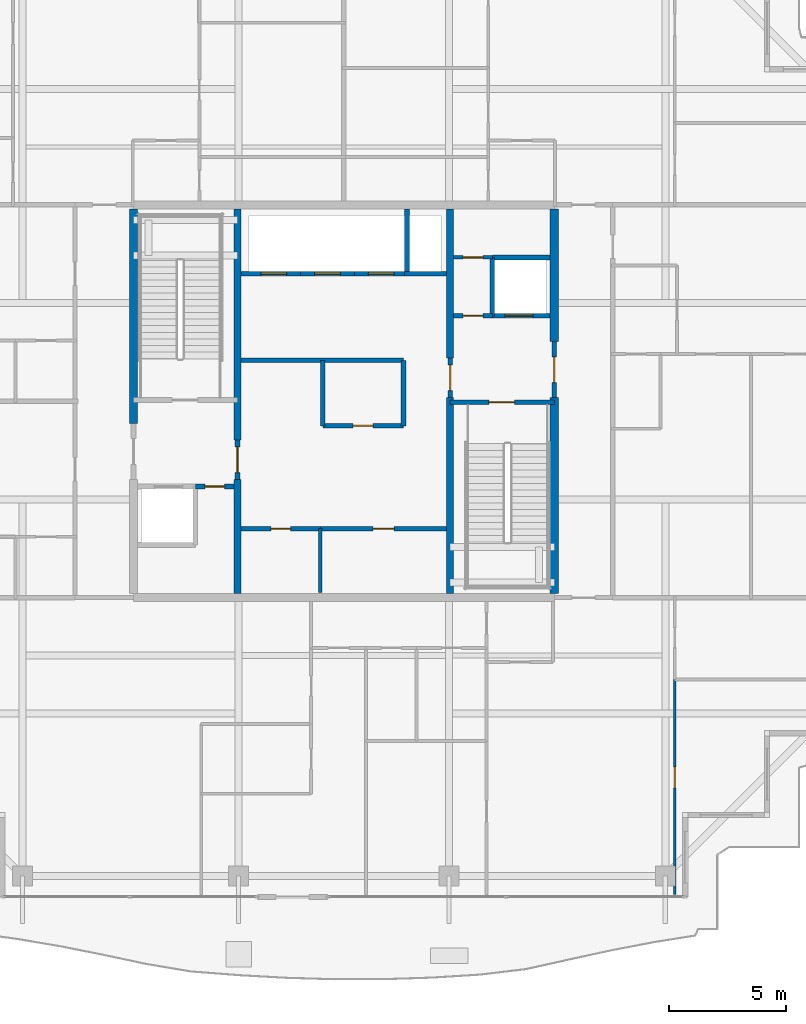
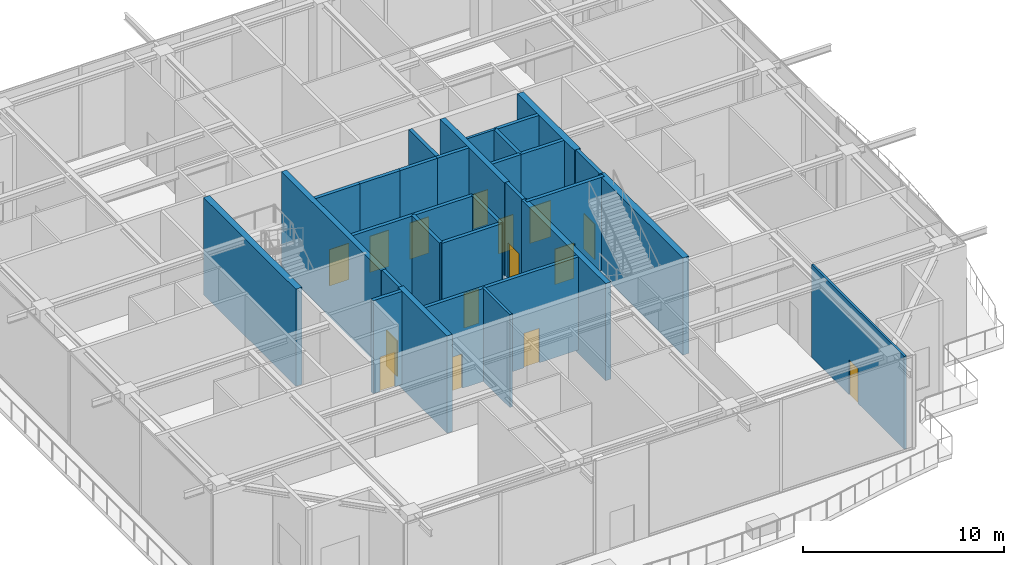
# One storey, part 28 of 38: 30 walls, 15 doors, 15 openings.
"""IFC4 building model written with IfcOpenShell, lengths in metres."""

from ifc_helpers import new_model, si_unit, direction, frame, frame_2d, origin, place, context, subcontext, project, spatial, rectangle, extrude, source, transform, mapped, material, layer, layer_set, type_object, element, fill, save


model = new_model("IFC4")

# Units and contexts
model_context = context("Model", 3, precision=1e-05, world=origin(), true_north=direction((0.0, 1.0)))
body_context = subcontext(model_context, "Body", "Model", "MODEL_VIEW")
ifc_project = project(units=[si_unit("LENGTHUNIT", "METRE"), si_unit("AREAUNIT", "SQUARE_METRE"), si_unit("VOLUMEUNIT", "CUBIC_METRE"), si_unit("PLANEANGLEUNIT", "RADIAN"), si_unit("MASSUNIT", "GRAM", prefix="KILO")], contexts=[model_context])

# Site, building, storey
site_placement = place(None, origin())
site = spatial("IfcSite", under=ifc_project, at=site_placement, CompositionType="ELEMENT")
building_placement = place(site_placement, origin())
building = spatial("IfcBuilding", under=site, at=building_placement, Name="Serunith Strait Residences", CompositionType="ELEMENT")
storey_placement = place(building_placement, frame((0.0, 0.0, 342.050048828125)))
storey = spatial("IfcBuildingStorey", under=building, at=storey_placement, Name="L85", CompositionType="ELEMENT", Elevation=342.050048828125)

# Wall, opening, door
ifc_material_1 = material(Name="Fire-rated masonry service closet wall", Category="masonry")
ifc_layer_1 = layer(ifc_material_1, 0.14990234375, Name="Fire-rated masonry service closet wall")
ifc_layer_set_1 = layer_set([ifc_layer_1], Name="Fire-rated masonry service closet wall")
wall_type_1 = type_object("IfcWallType", Name="IW-BOH-150", PredefinedType="PARTITIONING", material=ifc_layer_set_1)
wall_1_placement = place(storey_placement, frame((37.10009765625, 31.35009765625, 0.0), z_axis=(0.0, 0.0, 1.0), x_axis=(1.0, 0.0, 0.0)))
wall_1 = element("IfcWall", 1, at=wall_1_placement, inside=storey, type_object=wall_type_1, Name="L85 Partition Wall 011", PredefinedType="PARTITIONING", context=body_context, shape_type="SweptSolid", body=[
    extrude(rectangle(XDim=1.64794921875, YDim=0.14990234375, at=frame_2d((0.823974609375, 0.0))), origin(), (0.0, 0.0, 1.0), 5.639892578125),
])
opening_1_placement = place(wall_1_placement, frame((0.39892578125, 0.0, 0.0)))
opening_1 = element("IfcOpeningElement", 2, at=opening_1_placement, cuts=wall_1, Name="Opening FD-850", PredefinedType="OPENING", context=body_context, shape_type="SweptSolid", body=[
    extrude(rectangle(XDim=0.85009765625, YDim=2.10009765625, at=frame_2d((0.425048828125, 1.050048828125))), frame((0.0, 0.0849609375, 0.0), z_axis=(0.0, -1.0, 0.0), x_axis=(1.0, 0.0, 0.0)), (0.0, 0.0, 1.0), 0.169921875),
])
ifc_material_2 = material(Name="Powder-coated steel service closet door", Category="steel")
door_type_1 = type_object("IfcDoorType", Name="FD-BOH-850", OperationType="NOTDEFINED", PredefinedType="DOOR", material=ifc_material_2)
shared_shape_1 = source(origin(), body_context, "Body", "SweptSolid", [
    extrude(rectangle(XDim=0.85009765625, YDim=2.10009765625, at=frame_2d((0.425048828125, 1.050048828125))), frame((0.0, 0.02490234375, 0.0), z_axis=(0.0, -1.0, 0.0), x_axis=(1.0, 0.0, 0.0)), (0.0, 0.0, 1.0), 0.050048828125),
])
door_1_placement = place(opening_1_placement, origin())
door_1 = element("IfcDoor", 3, at=door_1_placement, inside=storey, type_object=door_type_1, Name="L85 Spare Parts Store Door", OperationType="SINGLE_SWING_LEFT", OverallHeight=2.10009765625, OverallWidth=0.85009765625, PredefinedType="DOOR", context=body_context, shape_type="MappedRepresentation", body=[
    mapped(shared_shape_1, transform((0.0, 0.0, 0.0), scale=1.0)),
])
fill(opening_1, door_1)

# Wall
wall_2_placement = place(storey_placement, frame((31.39990234375, 17.02001953125, 0.0), z_axis=(0.0, 0.0, 1.0), x_axis=(0.0, 1.0, 0.0)))
element("IfcWall", 4, at=wall_2_placement, inside=storey, type_object=wall_type_1, Name="L85 Partition Wall 014", PredefinedType="PARTITIONING", context=body_context, shape_type="SweptSolid", body=[
    extrude(rectangle(XDim=2.72998046875, YDim=0.14990234375, at=frame_2d((1.364990234375, 0.0))), origin(), (0.0, 0.0, 1.0), 5.639892578125),
])

# Wall, opening, door
ifc_material_3 = material(Name="Lightweight steel-stud gypsum partition", Category="steel")
ifc_layer_2 = layer(ifc_material_3, 0.1201171875, Name="Lightweight steel-stud gypsum partition")
ifc_layer_set_2 = layer_set([ifc_layer_2], Name="Lightweight steel-stud gypsum partition")
wall_type_2 = type_object("IfcWallType", Name="IW-PART-120", PredefinedType="PARTITIONING", material=ifc_layer_set_2)
wall_3_placement = place(storey_placement, frame((46.550048828125, 4.094970703125, 0.0), z_axis=(0.0, 0.0, 1.0), x_axis=(0.0, 1.0, 0.0)))
wall_3 = element("IfcWall", 5, at=wall_3_placement, inside=storey, type_object=wall_type_2, Name="L85 Partition Wall 048", PredefinedType="PARTITIONING", context=body_context, shape_type="SweptSolid", body=[
    extrude(rectangle(XDim=9.205078125, YDim=0.1201171875, at=frame_2d((4.6025390625, 0.0))), origin(), (0.0, 0.0, 1.0), 5.639892578125),
])
opening_2_placement = place(wall_3_placement, frame((4.568115234375, 0.0, 0.0)))
opening_2 = element("IfcOpeningElement", 6, at=opening_2_placement, cuts=wall_3, Name="Opening D-RM900", PredefinedType="OPENING", context=body_context, shape_type="SweptSolid", body=[
    extrude(rectangle(XDim=0.89990234375, YDim=2.10009765625, at=frame_2d((0.449951171875, 1.050048828125))), frame((0.0, 0.070068359375, 0.0), z_axis=(0.0, -1.0, 0.0), x_axis=(1.0, 0.0, 0.0)), (0.0, 0.0, 1.0), 0.14013671875),
])
ifc_material_4 = material(Name="Engineered timber flush bedroom door", Category="wood")
door_type_2 = type_object("IfcDoorType", Name="ID-ROOM-900", OperationType="NOTDEFINED", PredefinedType="DOOR", material=ifc_material_4)
shared_shape_2 = source(origin(), body_context, "Body", "SweptSolid", [
    extrude(rectangle(XDim=0.89990234375, YDim=2.10009765625, at=frame_2d((0.449951171875, 1.050048828125))), frame((0.0, 0.02490234375, 0.0), z_axis=(0.0, -1.0, 0.0), x_axis=(1.0, 0.0, 0.0)), (0.0, 0.0, 1.0), 0.050048828125),
])
door_2_placement = place(opening_2_placement, origin())
door_2 = element("IfcDoor", 7, at=door_2_placement, inside=storey, type_object=door_type_2, Name="L85 Bedroom 3 8501 Door", OperationType="SINGLE_SWING_LEFT", OverallHeight=2.10009765625, OverallWidth=0.89990234375, PredefinedType="DOOR", context=body_context, shape_type="MappedRepresentation", body=[
    mapped(shared_shape_2, transform((0.0, 0.0, 0.0), scale=1.0)),
])
fill(opening_2, door_2)

ifc_material_5 = material(Name="Autoclaved aerated concrete blockwork", Category="masonry")
ifc_layer_3 = layer(ifc_material_5, 0.199951171875, Name="Autoclaved aerated concrete blockwork")
ifc_layer_set_3 = layer_set([ifc_layer_3], Name="Autoclaved aerated concrete blockwork")
wall_type_3 = type_object("IfcWallType", Name="IW-SHAFT-200", PredefinedType="STANDARD", material=ifc_layer_set_3)
wall_4_placement = place(storey_placement, frame((36.949951171875, 25.14990234375, 0.0), z_axis=(0.0, 0.0, 1.0), x_axis=(1.0, 0.0, 0.0)))
wall_4 = element("IfcWall", 8, at=wall_4_placement, inside=storey, type_object=wall_type_3, Name="L85 ST-2 North Shaft Wall", PredefinedType="STANDARD", context=body_context, shape_type="SweptSolid", body=[
    extrude(rectangle(XDim=4.449951171875, YDim=0.199951171875, at=frame_2d((2.22509765625, 0.0))), origin(), (0.0, 0.0, 1.0), 5.639892578125),
])
opening_3_placement = place(wall_4_placement, frame((1.64990234375, 0.0, 0.0)))
opening_3 = element("IfcOpeningElement", 9, at=opening_3_placement, cuts=wall_4, Name="Opening FD-1100", PredefinedType="OPENING", context=body_context, shape_type="SweptSolid", body=[
    extrude(rectangle(XDim=1.10009765625, YDim=2.14990234375, at=frame_2d((0.550048828125, 1.074951171875))), frame((0.0, 0.10986328125, 0.0), z_axis=(0.0, -1.0, 0.0), x_axis=(1.0, 0.0, 0.0)), (0.0, 0.0, 1.0), 0.219970703125),
])
ifc_material_6 = material(Name="Galvanised steel fire door leaf", Category="steel")
door_type_3 = type_object("IfcDoorType", Name="FD-STAIR-1100", OperationType="NOTDEFINED", PredefinedType="DOOR", material=ifc_material_6)
shared_shape_3 = source(origin(), body_context, "Body", "SweptSolid", [
    extrude(rectangle(XDim=1.10009765625, YDim=2.14990234375, at=frame_2d((0.550048828125, 1.074951171875))), frame((0.0, 0.02490234375, 0.0), z_axis=(0.0, -1.0, 0.0), x_axis=(1.0, 0.0, 0.0)), (0.0, 0.0, 1.0), 0.050048828125),
])
door_3_placement = place(opening_3_placement, origin())
door_3 = element("IfcDoor", 10, at=door_3_placement, inside=storey, type_object=door_type_3, Name="L85 ST-2 Escape Stair Door", OperationType="SINGLE_SWING_RIGHT", OverallHeight=2.14990234375, OverallWidth=1.10009765625, PredefinedType="DOOR", context=body_context, shape_type="MappedRepresentation", body=[
    mapped(shared_shape_3, transform((0.0, 0.0, 0.0), scale=1.0)),
])
fill(opening_3, door_3)

wall_5_placement = place(storey_placement, frame((38.75, 28.85009765625, 0.0), z_axis=(0.0, 0.0, 1.0), x_axis=(1.0, 0.0, 0.0)))
wall_5 = element("IfcWall", 11, at=wall_5_placement, inside=storey, type_object=wall_type_3, Name="L85 FL-2 South Shaft Wall", PredefinedType="STANDARD", context=body_context, shape_type="SweptSolid", body=[
    extrude(rectangle(XDim=2.47509765625, YDim=0.199951171875, at=frame_2d((1.237548828125, 0.0))), origin(), (0.0, 0.0, 1.0), 5.639892578125),
])
opening_4_placement = place(wall_5_placement, frame((0.550048828125, 0.0, 0.0)))
opening_4 = element("IfcOpeningElement", 12, at=opening_4_placement, cuts=wall_5, Name="Opening LD-FF1200", PredefinedType="OPENING", context=body_context, shape_type="SweptSolid", body=[
    extrude(rectangle(XDim=1.199951171875, YDim=2.199951171875, at=frame_2d((0.60009765625, 1.10009765625))), frame((0.0, 0.10986328125, 0.0), z_axis=(0.0, -1.0, 0.0), x_axis=(1.0, 0.0, 0.0)), (0.0, 0.0, 1.0), 0.219970703125),
])
ifc_material_7 = material(Name="Brushed stainless steel landing door", Category="steel")
door_type_4 = type_object("IfcDoorType", Name="LD-FF-1200", OperationType="DOUBLE_DOOR_SLIDING", PredefinedType="DOOR", material=ifc_material_7)
shared_shape_4 = source(origin(), body_context, "Body", "SweptSolid", [
    extrude(rectangle(XDim=1.199951171875, YDim=2.199951171875, at=frame_2d((0.60009765625, 1.10009765625))), frame((0.0, 0.02490234375, 0.0), z_axis=(0.0, -1.0, 0.0), x_axis=(1.0, 0.0, 0.0)), (0.0, 0.0, 1.0), 0.050048828125),
])
door_4_placement = place(opening_4_placement, origin())
door_4 = element("IfcDoor", 13, at=door_4_placement, inside=storey, type_object=door_type_4, Name="L85 FL-2 Landing Door", OperationType="DOUBLE_DOOR_SLIDING", OverallHeight=2.199951171875, OverallWidth=1.199951171875, PredefinedType="DOOR", context=body_context, shape_type="MappedRepresentation", body=[
    mapped(shared_shape_4, transform((0.0, 0.0, 0.0), scale=1.0)),
])
fill(opening_4, door_4)

wall_6_placement = place(storey_placement, frame((28.0, 30.64990234375, 0.0), z_axis=(0.0, 0.0, 1.0), x_axis=(1.0, 0.0, 0.0)))
wall_6 = element("IfcWall", 14, at=wall_6_placement, inside=storey, type_object=wall_type_3, Name="L85 PL-7 South Shaft Wall", PredefinedType="STANDARD", context=body_context, shape_type="SweptSolid", body=[
    extrude(rectangle(XDim=2.550048828125, YDim=0.199951171875, at=frame_2d((1.27490234375, 0.0))), origin(), (0.0, 0.0, 1.0), 5.639892578125),
])
opening_5_placement = place(wall_6_placement, frame((0.85009765625, 0.0, 0.0)))
opening_5 = element("IfcOpeningElement", 15, at=opening_5_placement, cuts=wall_6, Name="Opening LD-1100", PredefinedType="OPENING", context=body_context, shape_type="SweptSolid", body=[
    extrude(rectangle(XDim=1.10009765625, YDim=2.199951171875, at=frame_2d((0.550048828125, 1.10009765625))), frame((0.0, 0.10986328125, 0.0), z_axis=(0.0, -1.0, 0.0), x_axis=(1.0, 0.0, 0.0)), (0.0, 0.0, 1.0), 0.219970703125),
])
ifc_material_8 = material(Name="Pale-champagne stainless landing door")
door_type_5 = type_object("IfcDoorType", Name="LD-LIFT-1100", OperationType="DOUBLE_DOOR_SLIDING", PredefinedType="DOOR", material=ifc_material_8)
shared_shape_5 = source(origin(), body_context, "Body", "SweptSolid", [
    extrude(rectangle(XDim=1.10009765625, YDim=2.199951171875, at=frame_2d((0.550048828125, 1.10009765625))), frame((0.0, 0.02490234375, 0.0), z_axis=(0.0, -1.0, 0.0), x_axis=(1.0, 0.0, 0.0)), (0.0, 0.0, 1.0), 0.050048828125),
])
door_5_placement = place(opening_5_placement, origin())
door_5 = element("IfcDoor", 16, at=door_5_placement, inside=storey, type_object=door_type_5, Name="L85 PL-7 Landing Door", OperationType="DOUBLE_DOOR_SLIDING", OverallHeight=2.199951171875, OverallWidth=1.10009765625, PredefinedType="DOOR", context=body_context, shape_type="MappedRepresentation", body=[
    mapped(shared_shape_5, transform((0.0, 0.0, 0.0), scale=1.0)),
])
fill(opening_5, door_5)

wall_7_placement = place(storey_placement, frame((30.550048828125, 30.64990234375, 0.0), z_axis=(0.0, 0.0, 1.0), x_axis=(1.0, 0.0, 0.0)))
wall_7 = element("IfcWall", 17, at=wall_7_placement, inside=storey, type_object=wall_type_3, Name="L85 PL-8 South Shaft Wall", PredefinedType="STANDARD", context=body_context, shape_type="SweptSolid", body=[
    extrude(rectangle(XDim=2.300048828125, YDim=0.199951171875, at=frame_2d((1.14990234375, 0.0))), origin(), (0.0, 0.0, 1.0), 5.639892578125),
])
opening_6_placement = place(wall_7_placement, frame((0.60009765625, 0.0, 0.0)))
opening_6 = element("IfcOpeningElement", 18, at=opening_6_placement, cuts=wall_7, Name="Opening LD-1100", PredefinedType="OPENING", context=body_context, shape_type="SweptSolid", body=[
    extrude(rectangle(XDim=1.10009765625, YDim=2.199951171875, at=frame_2d((0.550048828125, 1.10009765625))), frame((0.0, 0.10986328125, 0.0), z_axis=(0.0, -1.0, 0.0), x_axis=(1.0, 0.0, 0.0)), (0.0, 0.0, 1.0), 0.219970703125),
])
door_6_placement = place(opening_6_placement, origin())
door_6 = element("IfcDoor", 19, at=door_6_placement, inside=storey, type_object=door_type_5, Name="L85 PL-8 Landing Door", OperationType="DOUBLE_DOOR_SLIDING", OverallHeight=2.199951171875, OverallWidth=1.10009765625, PredefinedType="DOOR", context=body_context, shape_type="MappedRepresentation", body=[
    mapped(shared_shape_5, transform((0.0, 0.0, 0.0), scale=1.0)),
])
fill(opening_6, door_6)

wall_8_placement = place(storey_placement, frame((32.85009765625, 30.64990234375, 0.0), z_axis=(0.0, 0.0, 1.0), x_axis=(1.0, 0.0, 0.0)))
wall_8 = element("IfcWall", 20, at=wall_8_placement, inside=storey, type_object=wall_type_3, Name="L85 PL-9 South Shaft Wall", PredefinedType="STANDARD", context=body_context, shape_type="SweptSolid", body=[
    extrude(rectangle(XDim=2.14990234375, YDim=0.199951171875, at=frame_2d((1.074951171875, 0.0))), origin(), (0.0, 0.0, 1.0), 5.639892578125),
])
opening_7_placement = place(wall_8_placement, frame((0.60009765625, 0.0, 0.0)))
opening_7 = element("IfcOpeningElement", 21, at=opening_7_placement, cuts=wall_8, Name="Opening LD-1100", PredefinedType="OPENING", context=body_context, shape_type="SweptSolid", body=[
    extrude(rectangle(XDim=1.10009765625, YDim=2.199951171875, at=frame_2d((0.550048828125, 1.10009765625))), frame((0.0, 0.10986328125, 0.0), z_axis=(0.0, -1.0, 0.0), x_axis=(1.0, 0.0, 0.0)), (0.0, 0.0, 1.0), 0.219970703125),
])
door_7_placement = place(opening_7_placement, origin())
door_7 = element("IfcDoor", 22, at=door_7_placement, inside=storey, type_object=door_type_5, Name="L85 PL-9 Landing Door", OperationType="DOUBLE_DOOR_SLIDING", OverallHeight=2.199951171875, OverallWidth=1.10009765625, PredefinedType="DOOR", context=body_context, shape_type="MappedRepresentation", body=[
    mapped(shared_shape_5, transform((0.0, 0.0, 0.0), scale=1.0)),
])
fill(opening_7, door_7)

# Walls
wall_9_placement = place(storey_placement, frame((35.0, 30.64990234375, 0.0), z_axis=(0.0, 0.0, 1.0), x_axis=(1.0, 0.0, 0.0)))
element("IfcWall", 23, at=wall_9_placement, inside=storey, type_object=wall_type_3, Name="L85 SL-1 South Shaft Wall", PredefinedType="STANDARD", context=body_context, shape_type="SweptSolid", body=[
    extrude(rectangle(XDim=1.800048828125, YDim=0.199951171875, at=frame_2d((0.89990234375, 0.0))), origin(), (0.0, 0.0, 1.0), 5.639892578125),
])
wall_10_placement = place(storey_placement, frame((35.10009765625, 30.75, 0.0), z_axis=(0.0, 0.0, 1.0), x_axis=(0.0, 1.0, 0.0)))
element("IfcWall", 24, at=wall_10_placement, inside=storey, type_object=wall_type_3, Name="L85 SL-1 West Shaft Wall", PredefinedType="STANDARD", context=body_context, shape_type="SweptSolid", body=[
    extrude(rectangle(XDim=2.675048828125, YDim=0.199951171875, at=frame_2d((1.33740234375, 0.0))), origin(), (0.0, 0.0, 1.0), 5.639892578125),
])

# Wall, opening, door
wall_11_placement = place(storey_placement, frame((26.052001953125, 21.550048828125, 0.0), z_axis=(0.0, 0.0, 1.0), x_axis=(1.0, 0.0, 0.0)))
wall_11 = element("IfcWall", 25, at=wall_11_placement, inside=storey, type_object=wall_type_3, Name="L85 Partition Wall 003", PredefinedType="STANDARD", context=body_context, shape_type="SweptSolid", body=[
    extrude(rectangle(XDim=1.64794921875, YDim=0.199951171875, at=frame_2d((0.823974609375, 0.0))), origin(), (0.0, 0.0, 1.0), 5.639892578125),
])
opening_8_placement = place(wall_11_placement, frame((0.39892578125, 0.0, 0.0)))
opening_8 = element("IfcOpeningElement", 26, at=opening_8_placement, cuts=wall_11, Name="Opening FD-850", PredefinedType="OPENING", context=body_context, shape_type="SweptSolid", body=[
    extrude(rectangle(XDim=0.85009765625, YDim=2.10009765625, at=frame_2d((0.425048828125, 1.050048828125))), frame((0.0, 0.10986328125, 0.0), z_axis=(0.0, -1.0, 0.0), x_axis=(1.0, 0.0, 0.0)), (0.0, 0.0, 1.0), 0.219970703125),
])
door_8_placement = place(opening_8_placement, origin())
door_8 = element("IfcDoor", 27, at=door_8_placement, inside=storey, type_object=door_type_1, Name="L85 South-West Core Service Door", OperationType="SINGLE_SWING_LEFT", OverallHeight=2.10009765625, OverallWidth=0.85009765625, PredefinedType="DOOR", context=body_context, shape_type="MappedRepresentation", body=[
    mapped(shared_shape_1, transform((0.0, 0.0, 0.0), scale=1.0)),
])
fill(opening_8, door_8)

# Walls
wall_12_placement = place(storey_placement, frame((38.75, 28.85009765625, 0.0), z_axis=(0.0, 0.0, 1.0), x_axis=(0.0, 1.0, 0.0)))
element("IfcWall", 28, at=wall_12_placement, inside=storey, type_object=wall_type_3, Name="L85 Partition Wall 004", PredefinedType="STANDARD", context=body_context, shape_type="SweptSolid", body=[
    extrude(rectangle(XDim=2.5, YDim=0.199951171875, at=frame_2d((1.25, 0.0))), origin(), (0.0, 0.0, 1.0), 5.639892578125),
])
wall_13_placement = place(storey_placement, frame((38.75, 31.35009765625, 0.0), z_axis=(0.0, 0.0, 1.0), x_axis=(1.0, 0.0, 0.0)))
element("IfcWall", 29, at=wall_13_placement, inside=storey, type_object=wall_type_3, Name="L85 Partition Wall 005", PredefinedType="STANDARD", context=body_context, shape_type="SweptSolid", body=[
    extrude(rectangle(XDim=2.47509765625, YDim=0.199951171875, at=frame_2d((1.237548828125, 0.0))), origin(), (0.0, 0.0, 1.0), 5.639892578125),
])

# Wall, opening, door
wall_14_placement = place(storey_placement, frame((37.10009765625, 28.85009765625, 0.0), z_axis=(0.0, 0.0, 1.0), x_axis=(1.0, 0.0, 0.0)))
wall_14 = element("IfcWall", 30, at=wall_14_placement, inside=storey, type_object=wall_type_3, Name="L85 Partition Wall 006", PredefinedType="STANDARD", context=body_context, shape_type="SweptSolid", body=[
    extrude(rectangle(XDim=1.64794921875, YDim=0.199951171875, at=frame_2d((0.823974609375, 0.0))), origin(), (0.0, 0.0, 1.0), 5.639892578125),
])
opening_9_placement = place(wall_14_placement, frame((0.39892578125, 0.0, 0.0)))
opening_9 = element("IfcOpeningElement", 31, at=opening_9_placement, cuts=wall_14, Name="Opening FD-850", PredefinedType="OPENING", context=body_context, shape_type="SweptSolid", body=[
    extrude(rectangle(XDim=0.85009765625, YDim=2.10009765625, at=frame_2d((0.425048828125, 1.050048828125))), frame((0.0, 0.10986328125, 0.0), z_axis=(0.0, -1.0, 0.0), x_axis=(1.0, 0.0, 0.0)), (0.0, 0.0, 1.0), 0.219970703125),
])
door_9_placement = place(opening_9_placement, origin())
door_9 = element("IfcDoor", 32, at=door_9_placement, inside=storey, type_object=door_type_1, Name="L85 North-East Core Service Door", OperationType="SINGLE_SWING_RIGHT", OverallHeight=2.10009765625, OverallWidth=0.85009765625, PredefinedType="DOOR", context=body_context, shape_type="MappedRepresentation", body=[
    mapped(shared_shape_1, transform((0.0, 0.0, 0.0), scale=1.0)),
])
fill(opening_9, door_9)

wall_15_placement = place(storey_placement, frame((41.39990234375, 25.35205078125, 0.0), z_axis=(0.0, 0.0, 1.0), x_axis=(0.0, 1.0, 0.0)))
wall_15 = element("IfcWall", 33, at=wall_15_placement, inside=storey, type_object=wall_type_3, Name="L85 Partition Wall 008", PredefinedType="STANDARD", context=body_context, shape_type="SweptSolid", body=[
    extrude(rectangle(XDim=2.39599609375, YDim=0.199951171875, at=frame_2d((1.197998046875, 0.0))), origin(), (0.0, 0.0, 1.0), 5.639892578125),
])
opening_10_placement = place(wall_15_placement, frame((0.64794921875, 0.0, 0.0)))
opening_10 = element("IfcOpeningElement", 34, at=opening_10_placement, cuts=wall_15, Name="Opening FD-FFL", PredefinedType="OPENING", context=body_context, shape_type="SweptSolid", body=[
    extrude(rectangle(XDim=1.10009765625, YDim=2.14990234375, at=frame_2d((0.550048828125, 1.074951171875))), frame((0.0, 0.10986328125, 0.0), z_axis=(0.0, -1.0, 0.0), x_axis=(1.0, 0.0, 0.0)), (0.0, 0.0, 1.0), 0.219970703125),
])
ifc_material_9 = material(Name="Glazed steel smoke-lobby fire door", Category="steel")
door_type_6 = type_object("IfcDoorType", Name="FD-FFL-1100", OperationType="NOTDEFINED", PredefinedType="DOOR", material=ifc_material_9)
door_10_placement = place(opening_10_placement, origin())
door_10 = element("IfcDoor", 35, at=door_10_placement, inside=storey, type_object=door_type_6, Name="L85 FFL-2 Corridor Fire Door", OperationType="SINGLE_SWING_RIGHT", OverallHeight=2.14990234375, OverallWidth=1.10009765625, PredefinedType="DOOR", context=body_context, shape_type="MappedRepresentation", body=[
    mapped(shared_shape_3, transform((0.0, 0.0, 0.0), scale=1.0)),
])
fill(opening_10, door_10)

wall_16_placement = place(storey_placement, frame((27.85009765625, 21.85205078125, 0.0), z_axis=(0.0, 0.0, 1.0), x_axis=(0.0, 1.0, 0.0)))
wall_16 = element("IfcWall", 36, at=wall_16_placement, inside=storey, type_object=wall_type_3, Name="L85 Partition Wall 009", PredefinedType="STANDARD", context=body_context, shape_type="SweptSolid", body=[
    extrude(rectangle(XDim=1.696044921875, YDim=0.199951171875, at=frame_2d((0.84814453125, 0.0))), origin(), (0.0, 0.0, 1.0), 5.639892578125),
])
opening_11_placement = place(wall_16_placement, frame((0.298095703125, 0.0, 0.0)))
opening_11 = element("IfcOpeningElement", 37, at=opening_11_placement, cuts=wall_16, Name="Opening FD-FFL", PredefinedType="OPENING", context=body_context, shape_type="SweptSolid", body=[
    extrude(rectangle(XDim=1.10009765625, YDim=2.14990234375, at=frame_2d((0.550048828125, 1.074951171875))), frame((0.0, 0.10986328125, 0.0), z_axis=(0.0, -1.0, 0.0), x_axis=(1.0, 0.0, 0.0)), (0.0, 0.0, 1.0), 0.219970703125),
])
door_11_placement = place(opening_11_placement, origin())
door_11 = element("IfcDoor", 38, at=door_11_placement, inside=storey, type_object=door_type_6, Name="L85 FFL-1 Lift Lobby Door", OperationType="SINGLE_SWING_LEFT", OverallHeight=2.14990234375, OverallWidth=1.10009765625, PredefinedType="DOOR", context=body_context, shape_type="MappedRepresentation", body=[
    mapped(shared_shape_3, transform((0.0, 0.0, 0.0), scale=1.0)),
])
fill(opening_11, door_11)

wall_17_placement = place(storey_placement, frame((36.949951171875, 25.35205078125, 0.0), z_axis=(0.0, 0.0, 1.0), x_axis=(0.0, 1.0, 0.0)))
wall_17 = element("IfcWall", 39, at=wall_17_placement, inside=storey, type_object=wall_type_3, Name="L85 Partition Wall 010", PredefinedType="STANDARD", context=body_context, shape_type="SweptSolid", body=[
    extrude(rectangle(XDim=1.696044921875, YDim=0.199951171875, at=frame_2d((0.84814453125, 0.0))), origin(), (0.0, 0.0, 1.0), 5.639892578125),
])
opening_12_placement = place(wall_17_placement, frame((0.298095703125, 0.0, 0.0)))
opening_12 = element("IfcOpeningElement", 40, at=opening_12_placement, cuts=wall_17, Name="Opening FD-FFL", PredefinedType="OPENING", context=body_context, shape_type="SweptSolid", body=[
    extrude(rectangle(XDim=1.10009765625, YDim=2.14990234375, at=frame_2d((0.550048828125, 1.074951171875))), frame((0.0, 0.10986328125, 0.0), z_axis=(0.0, -1.0, 0.0), x_axis=(1.0, 0.0, 0.0)), (0.0, 0.0, 1.0), 0.219970703125),
])
door_12_placement = place(opening_12_placement, origin())
door_12 = element("IfcDoor", 41, at=door_12_placement, inside=storey, type_object=door_type_6, Name="L85 FFL-2 Lift Lobby Door", OperationType="SINGLE_SWING_RIGHT", OverallHeight=2.14990234375, OverallWidth=1.10009765625, PredefinedType="DOOR", context=body_context, shape_type="MappedRepresentation", body=[
    mapped(shared_shape_3, transform((0.0, 0.0, 0.0), scale=1.0)),
])
fill(opening_12, door_12)

wall_18_placement = place(storey_placement, frame((28.0, 19.75, 0.0), z_axis=(0.0, 0.0, 1.0), x_axis=(1.0, 0.0, 0.0)))
wall_18 = element("IfcWall", 42, at=wall_18_placement, inside=storey, type_object=wall_type_3, Name="L85 Partition Wall 012", PredefinedType="STANDARD", context=body_context, shape_type="SweptSolid", body=[
    extrude(rectangle(XDim=3.39990234375, YDim=0.199951171875, at=frame_2d((1.699951171875, 0.0))), origin(), (0.0, 0.0, 1.0), 5.639892578125),
])
opening_13_placement = place(wall_18_placement, frame((1.27490234375, 0.0, 0.0)))
opening_13 = element("IfcOpeningElement", 43, at=opening_13_placement, cuts=wall_18, Name="Opening FD-850", PredefinedType="OPENING", context=body_context, shape_type="SweptSolid", body=[
    extrude(rectangle(XDim=0.85009765625, YDim=2.10009765625, at=frame_2d((0.425048828125, 1.050048828125))), frame((0.0, 0.10986328125, 0.0), z_axis=(0.0, -1.0, 0.0), x_axis=(1.0, 0.0, 0.0)), (0.0, 0.0, 1.0), 0.219970703125),
])
door_13_placement = place(opening_13_placement, origin())
door_13 = element("IfcDoor", 44, at=door_13_placement, inside=storey, type_object=door_type_1, Name="L85 Booster Pump Door", OperationType="SINGLE_SWING_RIGHT", OverallHeight=2.10009765625, OverallWidth=0.85009765625, PredefinedType="DOOR", context=body_context, shape_type="MappedRepresentation", body=[
    mapped(shared_shape_1, transform((0.0, 0.0, 0.0), scale=1.0)),
])
fill(opening_13, door_13)

wall_19_placement = place(storey_placement, frame((31.402099609375, 19.75, 0.0), z_axis=(0.0, 0.0, 1.0), x_axis=(1.0, 0.0, 0.0)))
wall_19 = element("IfcWall", 45, at=wall_19_placement, inside=storey, type_object=wall_type_3, Name="L85 Partition Wall 013", PredefinedType="STANDARD", context=body_context, shape_type="SweptSolid", body=[
    extrude(rectangle(XDim=5.39794921875, YDim=0.199951171875, at=frame_2d((2.698974609375, 0.0))), origin(), (0.0, 0.0, 1.0), 5.639892578125),
])
opening_14_placement = place(wall_19_placement, frame((2.2490234375, 0.0, 0.0)))
opening_14 = element("IfcOpeningElement", 46, at=opening_14_placement, cuts=wall_19, Name="Opening FD-900", PredefinedType="OPENING", context=body_context, shape_type="SweptSolid", body=[
    extrude(rectangle(XDim=0.89990234375, YDim=2.10009765625, at=frame_2d((0.449951171875, 1.050048828125))), frame((0.0, 0.10986328125, 0.0), z_axis=(0.0, -1.0, 0.0), x_axis=(1.0, 0.0, 0.0)), (0.0, 0.0, 1.0), 0.219970703125),
])
ifc_material_10 = material(Name="Powder-coated steel riser door", Category="steel")
door_type_7 = type_object("IfcDoorType", Name="FD-BOH-900", OperationType="NOTDEFINED", PredefinedType="DOOR", material=ifc_material_10)
door_14_placement = place(opening_14_placement, origin())
door_14 = element("IfcDoor", 47, at=door_14_placement, inside=storey, type_object=door_type_7, Name="L85 Zone Switchroom Door", OperationType="SINGLE_SWING_LEFT", OverallHeight=2.10009765625, OverallWidth=0.89990234375, PredefinedType="DOOR", context=body_context, shape_type="MappedRepresentation", body=[
    mapped(shared_shape_2, transform((0.0, 0.0, 0.0), scale=1.0)),
])
fill(opening_14, door_14)

# Walls
wall_20_placement = place(storey_placement, frame((28.0, 26.949951171875, 0.0), z_axis=(0.0, 0.0, 1.0), x_axis=(1.0, 0.0, 0.0)))
element("IfcWall", 48, at=wall_20_placement, inside=storey, type_object=wall_type_3, Name="L85 Partition Wall 015", PredefinedType="STANDARD", context=body_context, shape_type="SweptSolid", body=[
    extrude(rectangle(XDim=6.949951171875, YDim=0.199951171875, at=frame_2d((3.47509765625, 0.0))), origin(), (0.0, 0.0, 1.0), 5.639892578125),
])
wall_21_placement = place(storey_placement, frame((34.949951171875, 24.14990234375, 0.0), z_axis=(0.0, 0.0, 1.0), x_axis=(0.0, 1.0, 0.0)))
element("IfcWall", 49, at=wall_21_placement, inside=storey, type_object=wall_type_3, Name="L85 Partition Wall 016", PredefinedType="STANDARD", context=body_context, shape_type="SweptSolid", body=[
    extrude(rectangle(XDim=2.800048828125, YDim=0.199951171875, at=frame_2d((1.39990234375, 0.0))), origin(), (0.0, 0.0, 1.0), 5.639892578125),
])

# Wall, opening, door
wall_22_placement = place(storey_placement, frame((31.5, 24.14990234375, 0.0), z_axis=(0.0, 0.0, 1.0), x_axis=(1.0, 0.0, 0.0)))
wall_22 = element("IfcWall", 50, at=wall_22_placement, inside=storey, type_object=wall_type_3, Name="L85 Partition Wall 017", PredefinedType="STANDARD", context=body_context, shape_type="SweptSolid", body=[
    extrude(rectangle(XDim=3.449951171875, YDim=0.199951171875, at=frame_2d((1.72509765625, 0.0))), origin(), (0.0, 0.0, 1.0), 5.639892578125),
])
opening_15_placement = place(wall_22_placement, frame((1.300048828125, 0.0, 0.0)))
opening_15 = element("IfcOpeningElement", 51, at=opening_15_placement, cuts=wall_22, Name="Opening FD-850", PredefinedType="OPENING", context=body_context, shape_type="SweptSolid", body=[
    extrude(rectangle(XDim=0.85009765625, YDim=2.10009765625, at=frame_2d((0.425048828125, 1.050048828125))), frame((0.0, 0.10986328125, 0.0), z_axis=(0.0, -1.0, 0.0), x_axis=(1.0, 0.0, 0.0)), (0.0, 0.0, 1.0), 0.219970703125),
])
door_15_placement = place(opening_15_placement, origin())
door_15 = element("IfcDoor", 52, at=door_15_placement, inside=storey, type_object=door_type_1, Name="L85 Upper Meter Room Door", OperationType="SINGLE_SWING_RIGHT", OverallHeight=2.10009765625, OverallWidth=0.85009765625, PredefinedType="DOOR", context=body_context, shape_type="MappedRepresentation", body=[
    mapped(shared_shape_1, transform((0.0, 0.0, 0.0), scale=1.0)),
])
fill(opening_15, door_15)

# Walls
wall_23_placement = place(storey_placement, frame((31.5, 24.14990234375, 0.0), z_axis=(0.0, 0.0, 1.0), x_axis=(0.0, 1.0, 0.0)))
element("IfcWall", 53, at=wall_23_placement, inside=storey, type_object=wall_type_3, Name="L85 Partition Wall 018", PredefinedType="STANDARD", context=body_context, shape_type="SweptSolid", body=[
    extrude(rectangle(XDim=2.800048828125, YDim=0.199951171875, at=frame_2d((1.39990234375, 0.0))), origin(), (0.0, 0.0, 1.0), 5.639892578125),
])
ifc_material_11 = material(Name="Concrete C60/75", Category="concrete")
ifc_layer_4 = layer(ifc_material_11, 0.300048828125, Name="Concrete C60/75")
ifc_layer_set_4 = layer_set([ifc_layer_4], Name="Concrete C60/75")
wall_type_4 = type_object("IfcWallType", Name="SW-300-C60", PredefinedType="SHEAR", material=ifc_layer_set_4)
wall_24_placement = place(storey_placement, frame((27.85009765625, 16.97509765625, -0.260009765625), z_axis=(0.0, 0.0, 1.0), x_axis=(0.0, 1.0, 0.0)))
element("IfcWall", 54, at=wall_24_placement, inside=storey, type_object=wall_type_4, Name="L85 Core Internal West Web South Pier", PredefinedType="SHEAR", context=body_context, shape_type="SweptSolid", body=[
    extrude(rectangle(XDim=4.875, YDim=0.300048828125, at=frame_2d((2.4375, 0.0))), origin(), (0.0, 0.0, 1.0), 5.89794921875),
])
wall_25_placement = place(storey_placement, frame((27.85009765625, 23.550048828125, -0.260009765625), z_axis=(0.0, 0.0, 1.0), x_axis=(0.0, 1.0, 0.0)))
element("IfcWall", 55, at=wall_25_placement, inside=storey, type_object=wall_type_4, Name="L85 Core Internal West Web North Pier", PredefinedType="SHEAR", context=body_context, shape_type="SweptSolid", body=[
    extrude(rectangle(XDim=9.875, YDim=0.300048828125, at=frame_2d((4.9375, 0.0))), origin(), (0.0, 0.0, 1.0), 5.89794921875),
])
wall_26_placement = place(storey_placement, frame((36.949951171875, 16.97509765625, -0.260009765625), z_axis=(0.0, 0.0, 1.0), x_axis=(0.0, 1.0, 0.0)))
element("IfcWall", 56, at=wall_26_placement, inside=storey, type_object=wall_type_4, Name="L85 Core Internal East Web South Pier", PredefinedType="SHEAR", context=body_context, shape_type="SweptSolid", body=[
    extrude(rectangle(XDim=8.375, YDim=0.300048828125, at=frame_2d((4.1875, 0.0))), origin(), (0.0, 0.0, 1.0), 5.89794921875),
])
wall_27_placement = place(storey_placement, frame((36.949951171875, 27.050048828125, -0.260009765625), z_axis=(0.0, 0.0, 1.0), x_axis=(0.0, 1.0, 0.0)))
element("IfcWall", 57, at=wall_27_placement, inside=storey, type_object=wall_type_4, Name="L85 Core Internal East Web North Pier", PredefinedType="SHEAR", context=body_context, shape_type="SweptSolid", body=[
    extrude(rectangle(XDim=6.375, YDim=0.300048828125, at=frame_2d((3.1875, 0.0))), origin(), (0.0, 0.0, 1.0), 5.89794921875),
])
ifc_layer_5 = layer(ifc_material_11, 0.35009765625, Name="Concrete C60/75")
ifc_layer_set_5 = layer_set([ifc_layer_5], Name="Concrete C60/75")
wall_type_5 = type_object("IfcWallType", Name="SW-350-C60", PredefinedType="SHEAR", material=ifc_layer_set_5)
wall_28_placement = place(storey_placement, frame((23.39990234375, 24.25, -0.260009765625), z_axis=(0.0, 0.0, 1.0), x_axis=(0.0, 1.0, 0.0)))
element("IfcWall", 58, at=wall_28_placement, inside=storey, type_object=wall_type_5, Name="L85 Core West Shear Wall North Pier", PredefinedType="SHEAR", context=body_context, shape_type="SweptSolid", body=[
    extrude(rectangle(XDim=9.175048828125, YDim=0.35009765625, at=frame_2d((4.58740234375, 0.0))), origin(), (0.0, 0.0, 1.0), 5.89794921875),
])
wall_29_placement = place(storey_placement, frame((41.39990234375, 16.97509765625, -0.260009765625), z_axis=(0.0, 0.0, 1.0), x_axis=(0.0, 1.0, 0.0)))
element("IfcWall", 59, at=wall_29_placement, inside=storey, type_object=wall_type_5, Name="L85 Core East Shear Wall South Pier", PredefinedType="SHEAR", context=body_context, shape_type="SweptSolid", body=[
    extrude(rectangle(XDim=8.375, YDim=0.35009765625, at=frame_2d((4.1875, 0.0))), origin(), (0.0, 0.0, 1.0), 5.89794921875),
])
wall_30_placement = place(storey_placement, frame((41.39990234375, 27.75, -0.260009765625), z_axis=(0.0, 0.0, 1.0), x_axis=(0.0, 1.0, 0.0)))
element("IfcWall", 60, at=wall_30_placement, inside=storey, type_object=wall_type_5, Name="L85 Core East Shear Wall North Pier", PredefinedType="SHEAR", context=body_context, shape_type="SweptSolid", body=[
    extrude(rectangle(XDim=5.675048828125, YDim=0.35009765625, at=frame_2d((2.83740234375, 0.0))), origin(), (0.0, 0.0, 1.0), 5.89794921875),
])

save(model, "model.ifc")
